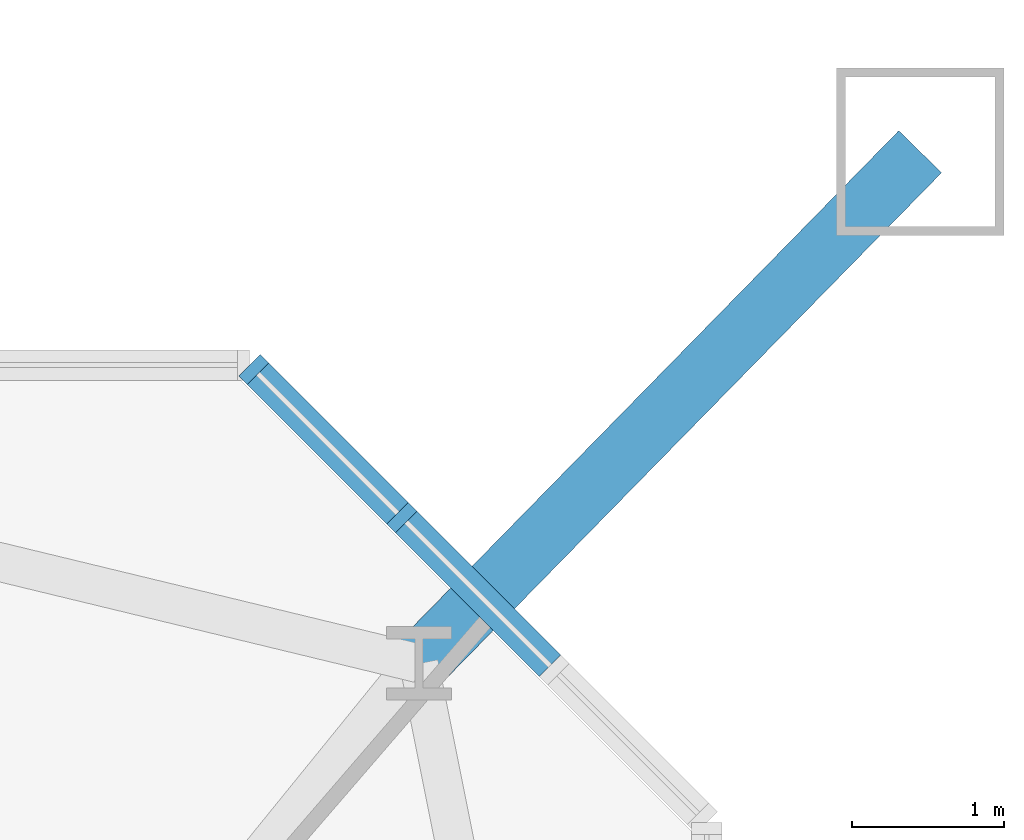
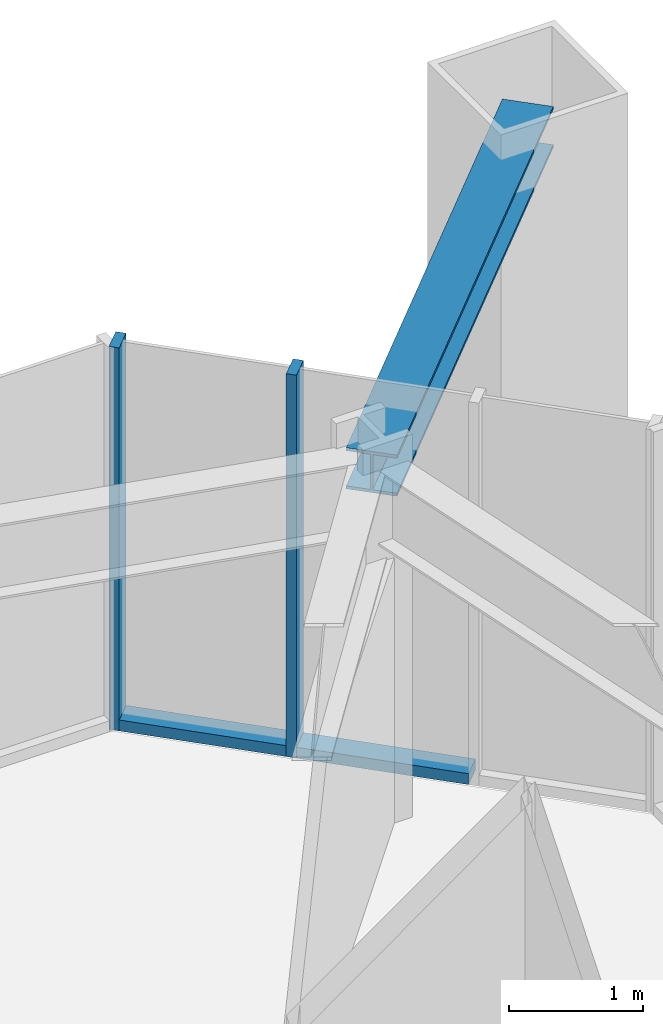
# One storey, part 10 of 25: 5 members, 1 element without a shape of its own.
"""IFC4 building model written with IfcOpenShell, lengths in metres."""

from ifc_helpers import new_model, si_unit, direction, frame, origin, origin_2d, place, context, subcontext, project, spatial, rectangle, i_section, extrude, material, material_profile, profile_set, type_object, element, aggregate, save


model = new_model("IFC4")

# Units and contexts
model_context = context("Model", 3, precision=1e-05, world=origin(), true_north=direction((0.0, 1.0)))
body_context = subcontext(model_context, "Body", "Model", "MODEL_VIEW")
ifc_project = project(units=[si_unit("LENGTHUNIT", "METRE"), si_unit("AREAUNIT", "SQUARE_METRE"), si_unit("VOLUMEUNIT", "CUBIC_METRE"), si_unit("PLANEANGLEUNIT", "RADIAN"), si_unit("MASSUNIT", "GRAM", prefix="KILO")], contexts=[model_context])

# Site, building, storey
site_placement = place(None, origin())
site = spatial("IfcSite", under=ifc_project, at=site_placement, CompositionType="ELEMENT")
building_placement = place(site_placement, origin())
building = spatial("IfcBuilding", under=site, at=building_placement, Name="Iwan Alto Co-Living Towers", CompositionType="ELEMENT")
storey_placement = place(building_placement, frame((0.0, 0.0, 105.0)))
storey = spatial("IfcBuildingStorey", under=building, at=storey_placement, Name="L28", CompositionType="ELEMENT", Elevation=105.0)

# Curtain wall, members
ifc_material_1 = material(Name="Bronze aluminium unitised frame", Category="aluminium")
curtain_wall_type = type_object("IfcCurtainWallType", Name="CURTAIN WALL CW-D", PredefinedType="NOTDEFINED", material=ifc_material_1)
curtain_wall_placement = place(storey_placement, origin())
curtain_wall = element("IfcCurtainWall", 1, at=curtain_wall_placement, inside=storey, type_object=curtain_wall_type, Name="T2 chamfer curtain wall NE L28", PredefinedType="NOTDEFINED")
ifc_material_2 = material(Name="Aluminium 6063-T6 bronze anodised", Category="aluminium")
ifc_material_profile_1 = material_profile(ifc_material_2, rectangle(XDim=0.199951171875, YDim=0.080078125, at=origin_2d()), Name="AL 80X200")
ifc_profile_set_1 = profile_set([ifc_material_profile_1], Name="Aluminium 6063-T6 bronze anodised")
member_type_1 = type_object("IfcMemberType", Name="CW-D MULLION 80X200", PredefinedType="MULLION", material=ifc_profile_set_1)
member_1_placement = place(storey_placement, frame((75.25, 15.5, 0.0), z_axis=(0.0, 0.0, 1.0), x_axis=(-0.707106781187, -0.707106781187, 0.0)))
member_1 = element("IfcMember", 2, at=member_1_placement, type_object=member_type_1, Name="CW-D mullion 3", PredefinedType="MULLION", context=body_context, shape_type="SweptSolid", body=[
    extrude(rectangle(XDim=0.199951171875, YDim=0.080078125, at=origin_2d()), origin(), (0.0, 0.0, 1.0), 3.5),
])
member_2_placement = place(storey_placement, frame((74.2783203125, 16.4716796875, 0.0), z_axis=(0.0, 0.0, 1.0), x_axis=(-0.707106781187, -0.707106781187, 0.0)))
member_2 = element("IfcMember", 3, at=member_2_placement, type_object=member_type_1, Name="CW-D mullion 4", PredefinedType="MULLION", context=body_context, shape_type="SweptSolid", body=[
    extrude(rectangle(XDim=0.199951171875, YDim=0.080078125, at=origin_2d()), origin(), (0.0, 0.0, 1.0), 3.5),
])
ifc_material_3 = material(Name="Aluminium 6063-T6 bronze anodised", Category="aluminium")
ifc_material_profile_2 = material_profile(ifc_material_3, rectangle(XDim=0.199951171875, YDim=0.10009765625, at=origin_2d()), Name="AL 200X100")
ifc_profile_set_2 = profile_set([ifc_material_profile_2], Name="Aluminium 6063-T6 bronze anodised")
member_type_2 = type_object("IfcMemberType", Name="CW-D TRANSOM 200X100", PredefinedType="USERDEFINED", material=ifc_profile_set_2)
member_3_placement = place(storey_placement, frame((76.2216796875, 14.5283203125, 0.050048828125), z_axis=(-0.707106781187, 0.707106781187, 0.0), x_axis=(-0.707106781187, -0.707106781187, 0.0)))
member_3 = element("IfcMember", 4, at=member_3_placement, type_object=member_type_2, Name="CW-D transom 2.1", ObjectType="TRANSOM", PredefinedType="USERDEFINED", context=body_context, shape_type="SweptSolid", body=[
    extrude(rectangle(XDim=0.199951171875, YDim=0.10009765625, at=origin_2d()), origin(), (0.0, 0.0, 1.0), 1.334228515625),
])
member_4_placement = place(storey_placement, frame((75.2216796875, 15.5283203125, 0.050048828125), z_axis=(-0.707106781187, 0.707106781187, 0.0), x_axis=(-0.707106781187, -0.707106781187, 0.0)))
member_4 = element("IfcMember", 5, at=member_4_placement, type_object=member_type_2, Name="CW-D transom 3.1", ObjectType="TRANSOM", PredefinedType="USERDEFINED", context=body_context, shape_type="SweptSolid", body=[
    extrude(rectangle(XDim=0.199951171875, YDim=0.10009765625, at=origin_2d()), origin(), (0.0, 0.0, 1.0), 1.2939453125),
])
aggregate(curtain_wall, [member_1, member_2, member_3, member_4])

# Member
ifc_material_4 = material(Name="Steel ASTM A992 Gr 50", Category="steel")
ifc_material_profile_3 = material_profile(ifc_material_4, i_section(OverallWidth=0.393798828125, OverallDepth=0.3759765625, WebThickness=0.017333984375, FlangeThickness=0.027587890625, at=origin_2d()), Name="W14X145")
ifc_profile_set_3 = profile_set([ifc_material_profile_3], Name="Steel ASTM A992 Gr 50")
member_type_3 = type_object("IfcMemberType", Name="T2 MEGA COLUMN FLOOR TIE W14X145", PredefinedType="STRUT", material=ifc_profile_set_3)
member_5_placement = place(storey_placement, frame((78.64990234375, 17.89990234375, 3.08203125), z_axis=(-0.699770096147, -0.714368121166, 0.0), x_axis=(0.714368121166, -0.699770096147, 0.0)))
element("IfcMember", 6, at=member_5_placement, inside=storey, type_object=member_type_3, Name="T2 mega column floor tie NE L29", PredefinedType="STRUT", context=body_context, shape_type="SweptSolid", body=[
    extrude(i_section(OverallWidth=0.393798828125, OverallDepth=0.3759765625, WebThickness=0.017333984375, FlangeThickness=0.027587890625, at=origin_2d()), origin(), (0.0, 0.0, 1.0), 4.699462890625),
])

save(model, "model.ifc")
